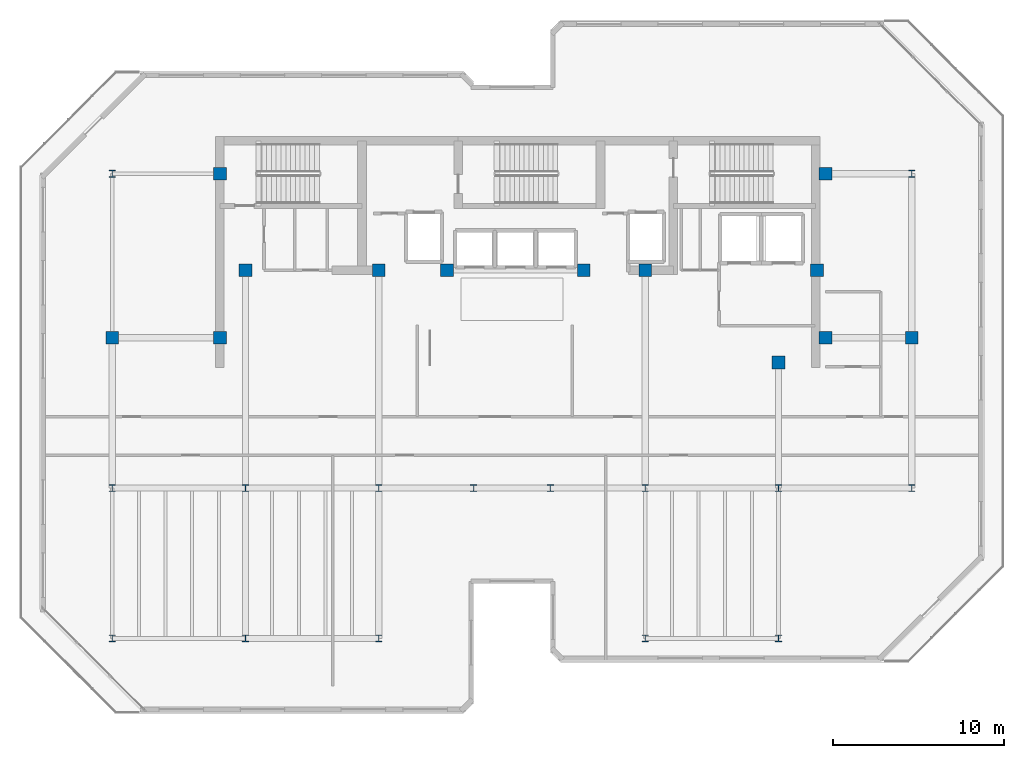
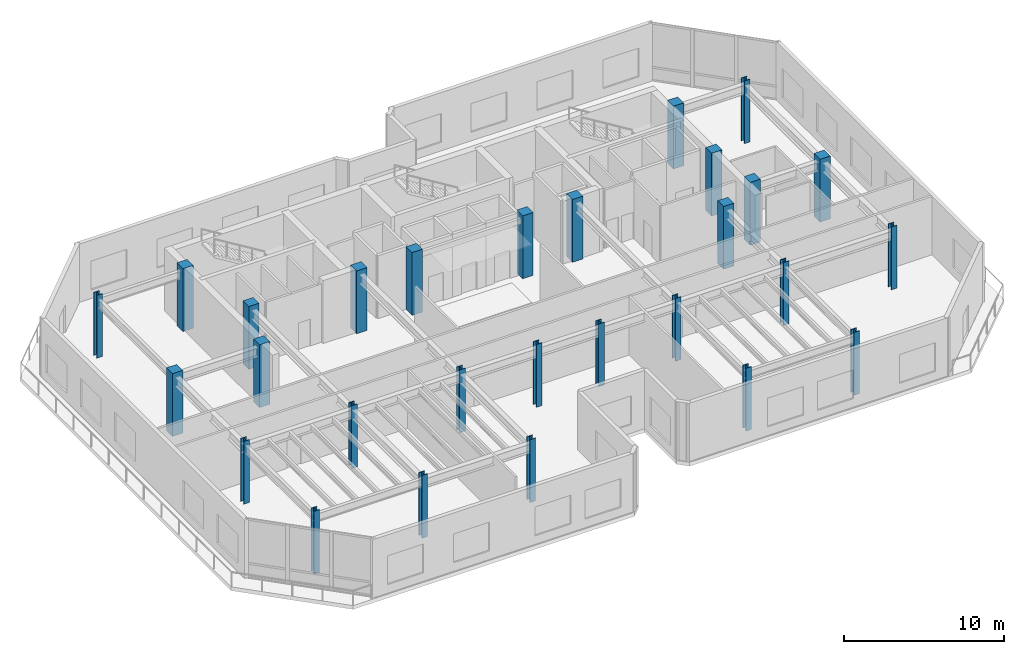
# One storey, part 1 of 12: 28 columns.
"""IFC4 building model written with IfcOpenShell, lengths in metres."""

import ifcopenshell
import ifcopenshell.guid

model = None  # the IFC model being written
_history = None  # IfcOwnerHistory: only IFC2X3 demands one
_inside = {}  # id of a spatial element -> (the spatial element, [elements in it])
_under = {}  # id of a project, library or spatial element -> (it, [spatial elements below it])
_declared = {}  # id of a project -> (the project, [libraries it declares])
_typed = {}  # id of a type object -> (the type object, [elements of that type])
_made_of = {}  # id of a material, layer set ... -> (it, [elements and type objects made of it])


def new_model(schema):
    """Start an empty IFC model of exactly this schema.

    Asked for "IFC4X3", IfcOpenShell would pick the latest addendum, in which some entities
    have other attributes; the version numbers below select the first issue.
    IFC2X3 requires an IfcOwnerHistory on every rooted entity: one is made here for all.
    """
    global model, _history
    if schema == "IFC4X3":
        model = ifcopenshell.file(schema_version=(4, 3, 0, 0))
    else:
        model = ifcopenshell.file(schema=schema)
    _inside.clear()
    _under.clear()
    _declared.clear()
    _typed.clear()
    _made_of.clear()
    _history = None
    if model.schema == "IFC2X3":
        org = make("IfcOrganization", Name="unknown")
        user = make(
            "IfcPersonAndOrganization",
            ThePerson=make("IfcPerson", FamilyName="unknown"),
            TheOrganization=org,
        )
        app = make(
            "IfcApplication",
            ApplicationDeveloper=org,
            Version="unknown",
            ApplicationFullName="unknown",
            ApplicationIdentifier="unknown",
        )
        _history = make(
            "IfcOwnerHistory",
            OwningUser=user,
            OwningApplication=app,
            ChangeAction="ADDED",
            CreationDate=0,
        )
    return model


def make(cls, **values):
    """One entity of the class cls with the attributes given. An attribute that is None is left unset."""
    return model.create_entity(
        cls, **{name: value for name, value in values.items() if value is not None}
    )


def rooted(cls, **values):
    """An entity with a GlobalId (a new one), such as an element, a storey or a relation."""
    return make(cls, GlobalId=ifcopenshell.guid.new(), OwnerHistory=_history, **values)


def si_unit(unit_type, name, prefix=None):
    """IfcSIUnit, for example si_unit("LENGTHUNIT", "METRE", prefix="MILLI")."""
    return make("IfcSIUnit", UnitType=unit_type, Prefix=prefix, Name=name)


def assignment(units):
    """IfcUnitAssignment: the units of a project."""
    return None if units is None else make("IfcUnitAssignment", Units=units)


def point(xyz):
    """IfcCartesianPoint."""
    return None if xyz is None else make("IfcCartesianPoint", Coordinates=xyz)


def direction(xyz):
    """IfcDirection."""
    return None if xyz is None else make("IfcDirection", DirectionRatios=xyz)


def frame(location, z_axis=None, x_axis=None):
    """IfcAxis2Placement3D, a coordinate frame: its origin and axes. An axis left out is left unset."""
    return make(
        "IfcAxis2Placement3D",
        Location=point(location),
        Axis=direction(z_axis),
        RefDirection=direction(x_axis),
    )


def frame_2d(location, x_axis=None):
    """IfcAxis2Placement2D, a coordinate frame in the plane: its origin and x axis."""
    return make(
        "IfcAxis2Placement2D", Location=point(location), RefDirection=direction(x_axis)
    )


def origin():
    """The frame at (0, 0, 0) with its axes left unset."""
    return frame((0.0, 0.0, 0.0))


def origin_2d():
    """The frame at (0, 0) in the plane with its x axis left unset."""
    return frame_2d((0.0, 0.0))


def place(relative_to, where):
    """IfcLocalPlacement: puts the frame where relative to a parent placement (None: the world)."""
    return make(
        "IfcLocalPlacement", PlacementRelTo=relative_to, RelativePlacement=where
    )


def context(
    kind, dimensions, precision=None, world=None, true_north=None, identifier=None
):
    """IfcGeometricRepresentationContext, for example the 3D "Model" context."""
    return make(
        "IfcGeometricRepresentationContext",
        ContextIdentifier=identifier,
        ContextType=kind,
        CoordinateSpaceDimension=dimensions,
        Precision=precision,
        WorldCoordinateSystem=world,
        TrueNorth=true_north,
    )


def subcontext(parent, identifier, kind, view, scale=None):
    """IfcGeometricRepresentationSubContext, for example "Body" below "Model"."""
    return make(
        "IfcGeometricRepresentationSubContext",
        ContextIdentifier=identifier,
        ContextType=kind,
        ParentContext=parent,
        TargetScale=scale,
        TargetView=view,
    )


def project(units=None, contexts=None):
    """IfcProject with its units and contexts."""
    return rooted(
        "IfcProject",
        Name="project",
        RepresentationContexts=contexts,
        UnitsInContext=assignment(units),
    )


def spatial(cls, under=None, at=None, **own):
    """A site, building, storey or space (cls), placed at a placement, below another one or the project."""
    s = rooted(cls, ObjectPlacement=at, **own)
    if under is not None:
        _under.setdefault(under.id(), (under, []))[1].append(s)
    return s


def profile(cls, at=None, kind="AREA", **sizes):
    """A parametric profile (cls). Its sizes go by their IFC names, for example OverallWidth=200.0."""
    return make(cls, ProfileType=kind, Position=at, **sizes)


def rectangle(**sizes):
    """IfcRectangleProfileDef."""
    return profile("IfcRectangleProfileDef", **sizes)


def i_section(**sizes):
    """IfcIShapeProfileDef."""
    return profile("IfcIShapeProfileDef", **sizes)


def extrude(swept, where, along, depth):
    """IfcExtrudedAreaSolid: the profile swept, set in the frame where, extruded along a direction by depth."""
    return make(
        "IfcExtrudedAreaSolid",
        SweptArea=swept,
        Position=where,
        ExtrudedDirection=direction(along),
        Depth=depth,
    )


def shape(context_of_items, identifier, shape_type, items):
    """IfcShapeRepresentation: the items that make up one representation, for example the "Body"."""
    return make(
        "IfcShapeRepresentation",
        ContextOfItems=context_of_items,
        RepresentationIdentifier=identifier,
        RepresentationType=shape_type,
        Items=items,
    )


def material(Name=None, Category=None):
    """IfcMaterial."""
    return make("IfcMaterial", Name=Name, Category=Category)


def material_profile(
    of_material, cross_section, Name=None, Category=None, Priority=None
):
    """IfcMaterialProfile: a cross section and its material."""
    return make(
        "IfcMaterialProfile",
        Name=Name,
        Material=of_material,
        Profile=cross_section,
        Priority=Priority,
        Category=Category,
    )


def profile_set(profiles, Name=None, composite=None):
    """IfcMaterialProfileSet."""
    return make(
        "IfcMaterialProfileSet",
        Name=Name,
        MaterialProfiles=profiles,
        CompositeProfile=composite,
    )


def made_of(thing, what):
    """Note that an element or type object is made of a material, layer set ...; save() writes the relation."""
    if what is not None:
        _made_of.setdefault(what.id(), (what, []))[1].append(thing)
    return thing


def type_object(cls, material=None, **own):
    """A type object (cls), such as IfcWallType, which elements share."""
    return made_of(rooted(cls, **own), material)


def element(
    cls,
    number,
    at=None,
    inside=None,
    cuts=None,
    type_object=None,
    material=None,
    context=None,
    identifier="Body",
    shape_type=None,
    held_by="IfcProductDefinitionShape",
    body=None,
    shapes=None,
    **own,
):
    """One element of the class cls, such as IfcWall. Its Tag is "e" and its number.

    at: its placement. inside: the storey or other place that contains it. cuts: it is an
    opening in that element (IfcRelVoidsElement). A single representation is given by context,
    identifier, shape_type and body (its items); several are given by shapes. held_by: the class
    of the entity that holds the representations. save() writes the other relations.
    """
    e = rooted(cls, Tag="e%d" % number, ObjectPlacement=at, **own)
    if body is not None:
        shapes = [shape(context, identifier, shape_type, body)]
    if shapes is not None:
        e.Representation = make(held_by, Representations=shapes)
    if inside is not None:
        _inside.setdefault(inside.id(), (inside, []))[1].append(e)
    if cuts is not None:
        rooted(
            "IfcRelVoidsElement", RelatingBuildingElement=cuts, RelatedOpeningElement=e
        )
    if type_object is not None:
        _typed.setdefault(type_object.id(), (type_object, []))[1].append(e)
    return made_of(e, material)


def aggregate(whole, parts):
    """IfcRelAggregates: a whole, such as a stair, and the parts it consists of."""
    return rooted("IfcRelAggregates", RelatingObject=whole, RelatedObjects=parts)


def save(model, path):
    """Write the relations noted so far, then the file.

    IfcRelAggregates (storeys below a building ...), IfcRelContainedInSpatialStructure (elements
    in a storey), IfcRelDefinesByType, IfcRelAssociatesMaterial and IfcRelDeclares: one each for
    every whole, place, type object, material and project.
    """
    for whole, parts in _under.values():
        aggregate(whole, parts)
    for where, things in _inside.values():
        rooted(
            "IfcRelContainedInSpatialStructure",
            RelatedElements=things,
            RelatingStructure=where,
        )
    for kind, things in _typed.values():
        rooted("IfcRelDefinesByType", RelatedObjects=things, RelatingType=kind)
    for what, things in _made_of.values():
        rooted("IfcRelAssociatesMaterial", RelatedObjects=things, RelatingMaterial=what)
    for by, libraries in _declared.values():
        rooted("IfcRelDeclares", RelatingContext=by, RelatedDefinitions=libraries)
    model.write(path)


model = new_model("IFC4")

# Units and contexts
model_context = context("Model", 3, precision=1e-05, world=origin(), true_north=direction((0.0, 1.0)))
body_context = subcontext(model_context, "Body", "Model", "MODEL_VIEW")
ifc_project = project(units=[si_unit("LENGTHUNIT", "METRE"), si_unit("AREAUNIT", "SQUARE_METRE"), si_unit("VOLUMEUNIT", "CUBIC_METRE"), si_unit("PLANEANGLEUNIT", "RADIAN"), si_unit("MASSUNIT", "GRAM", prefix="KILO")], contexts=[model_context])

# Site, building, storey
site_placement = place(None, origin())
site = spatial("IfcSite", under=ifc_project, at=site_placement, CompositionType="ELEMENT")
building_placement = place(site_placement, origin())
building = spatial("IfcBuilding", under=site, at=building_placement, Name="Kestravale Grand Hotel", CompositionType="ELEMENT")
storey_placement = place(building_placement, frame((0.0, 0.0, 306.60009765625)))
storey = spatial("IfcBuildingStorey", under=building, at=storey_placement, Name="L76", CompositionType="ELEMENT", Elevation=306.60009765625)

# Columns
ifc_material_1 = material(Name="Concrete f'c 50 MPa", Category="concrete")
ifc_material_profile_1 = material_profile(ifc_material_1, rectangle(XDim=0.75, YDim=0.75, at=origin_2d()))
ifc_profile_set_1 = profile_set([ifc_material_profile_1], Name="Concrete f'c 50 MPa")
column_type_1 = type_object("IfcColumnType", Name="C-Z4-750", PredefinedType="COLUMN", material=ifc_profile_set_1)
for number, where, z_axis, x_axis, name in (
    (1, (15.60009765625, 28.800048828125, 0.0), (0.0, 0.0, 1.0), (1.0, 0.0, 0.0), "L76 column 3-E"),
    (2, (62.39990234375, 28.800048828125, 0.0), (0.0, 0.0, 1.0), (1.0, 0.0, 0.0), "L76 column 10-E"),
    (3, (21.89990234375, 28.800048828125, 0.0), (0.0, 0.0, 1.0), (1.0, 0.0, 0.0), "L76 column CW-E"),
    (4, (21.89990234375, 38.39990234375, 0.0), (0.0, 0.0, 1.0), (1.0, 0.0, 0.0), "L76 column CW-F"),
    (5, (57.35009765625, 28.800048828125, 0.0), (0.0, 0.0, 1.0), (1.0, 0.0, 0.0), "L76 column CE-E"),
    (6, (57.35009765625, 38.39990234375, 0.0), (0.0, 0.0, 1.0), (1.0, 0.0, 0.0), "L76 column CE-F"),
    (7, (23.39990234375, 32.75, 0.0), (0.0, 0.0, 1.0), (1.0, 0.0, 0.0), "L76 column 4-CS"),
    (8, (31.199951171875, 32.75, 0.0), (0.0, 0.0, 1.0), (1.0, 0.0, 0.0), "L76 column 5-CS"),
    (9, (35.199951171875, 32.75, 0.0), (0.0, 0.0, 1.0), (1.0, 0.0, 0.0), "L76 column 6C-CS"),
    (10, (43.199951171875, 32.75, 0.0), (0.0, 0.0, 1.0), (1.0, 0.0, 0.0), "L76 column 7C-CS"),
    (11, (46.800048828125, 32.75, 0.0), (0.0, 0.0, 1.0), (1.0, 0.0, 0.0), "L76 column 8-CS"),
    (12, (54.60009765625, 27.35009765625, 0.0), (0.0, 0.0, 1.0), (1.0, 0.0, 0.0), "L76 column 9-CS"),
    (13, (56.85009765625, 32.75, 0.0), (0.0, 0.0, 1.0), (1.0, 0.0, 0.0), "L76 column 9C-CS"),
):
    element("IfcColumn", number, at=place(storey_placement, frame(where, z_axis=z_axis, x_axis=x_axis)), inside=storey, type_object=column_type_1, Name=name, PredefinedType="COLUMN", context=body_context, shape_type="SweptSolid", body=[
        extrude(rectangle(XDim=0.75, YDim=0.75, at=origin_2d()), origin(), (0.0, 0.0, 1.0), 4.7998046875),
    ])
ifc_material_2 = material(Name="Steel ASTM A992 Grade 50", Category="steel")
ifc_material_profile_2 = material_profile(ifc_material_2, i_section(OverallWidth=0.406005859375, OverallDepth=0.4169921875, WebThickness=0.02978515625, FlangeThickness=0.048095703125, FilletRadius=0.01708984375, at=origin_2d()))
ifc_profile_set_2 = profile_set([ifc_material_profile_2], Name="Steel ASTM A992 Grade 50")
column_type_2 = type_object("IfcColumnType", Name="C-Z4-W14X257", PredefinedType="COLUMN", material=ifc_profile_set_2)
for number, where, z_axis, x_axis, name in (
    (14, (15.60009765625, 11.199951171875, 0.0), (0.0, 0.0, 1.0), (1.0, 0.0, 0.0), "L76 column 3-C"),
    (15, (15.60009765625, 20.0, 0.0), (0.0, 0.0, 1.0), (1.0, 0.0, 0.0), "L76 column 3-D"),
    (16, (15.60009765625, 38.39990234375, 0.0), (0.0, 0.0, 1.0), (1.0, 0.0, 0.0), "L76 column 3-F"),
    (17, (23.39990234375, 11.199951171875, 0.0), (0.0, 0.0, 1.0), (1.0, 0.0, 0.0), "L76 column 4-C"),
    (18, (23.39990234375, 20.0, 0.0), (0.0, 0.0, 1.0), (1.0, 0.0, 0.0), "L76 column 4-D"),
    (19, (31.199951171875, 11.199951171875, 0.0), (0.0, 0.0, 1.0), (1.0, 0.0, 0.0), "L76 column 5-C"),
    (20, (31.199951171875, 20.0, 0.0), (0.0, 0.0, 1.0), (1.0, 0.0, 0.0), "L76 column 5-D"),
    (21, (36.75, 20.0, 0.0), (0.0, 0.0, 1.0), (1.0, 0.0, 0.0), "L76 column 6-D"),
    (22, (41.25, 20.0, 0.0), (0.0, 0.0, 1.0), (1.0, 0.0, 0.0), "L76 column 7-D"),
    (23, (46.800048828125, 11.199951171875, 0.0), (0.0, 0.0, 1.0), (1.0, 0.0, 0.0), "L76 column 8-C"),
    (24, (46.800048828125, 20.0, 0.0), (0.0, 0.0, 1.0), (1.0, 0.0, 0.0), "L76 column 8-D"),
    (25, (54.60009765625, 11.199951171875, 0.0), (0.0, 0.0, 1.0), (1.0, 0.0, 0.0), "L76 column 9-C"),
    (26, (54.60009765625, 20.0, 0.0), (0.0, 0.0, 1.0), (1.0, 0.0, 0.0), "L76 column 9-D"),
    (27, (62.39990234375, 20.0, 0.0), (0.0, 0.0, 1.0), (1.0, 0.0, 0.0), "L76 column 10-D"),
    (28, (62.39990234375, 38.39990234375, 0.0), (0.0, 0.0, 1.0), (1.0, 0.0, 0.0), "L76 column 10-F"),
):
    element("IfcColumn", number, at=place(storey_placement, frame(where, z_axis=z_axis, x_axis=x_axis)), inside=storey, type_object=column_type_2, Name=name, PredefinedType="COLUMN", context=body_context, shape_type="SweptSolid", body=[
        extrude(i_section(OverallWidth=0.406005859375, OverallDepth=0.4169921875, WebThickness=0.02978515625, FlangeThickness=0.048095703125, FilletRadius=0.01708984375, at=origin_2d()), origin(), (0.0, 0.0, 1.0), 4.7998046875),
    ])

save(model, "model.ifc")
